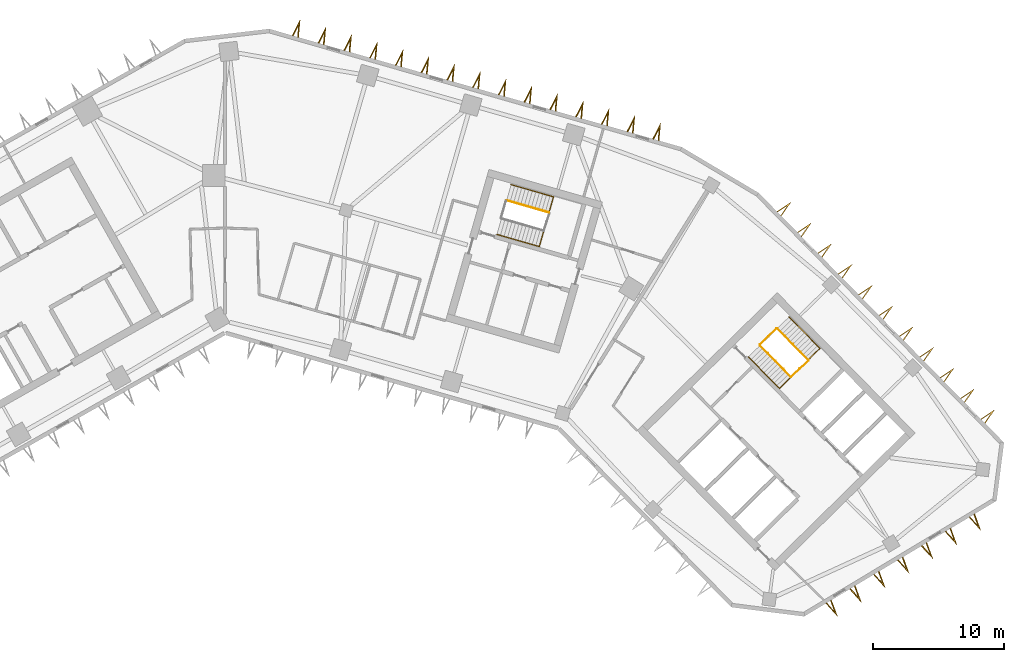
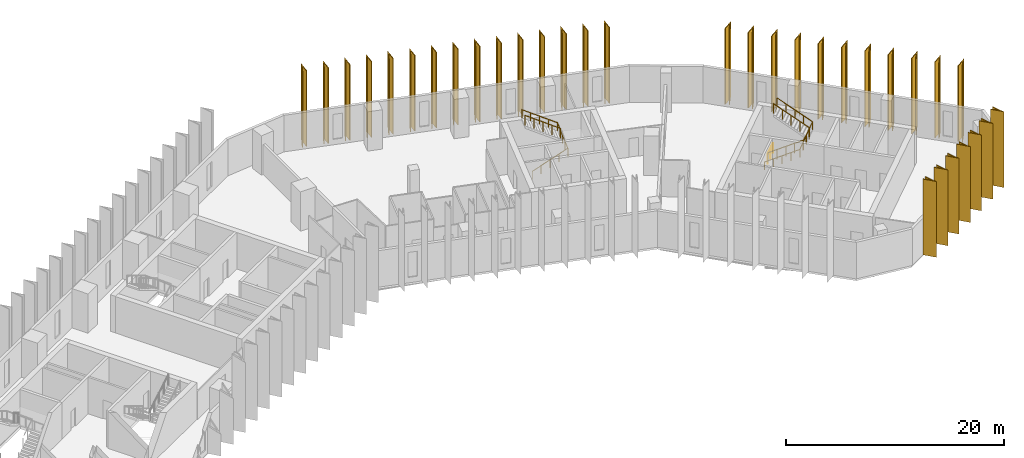
# One storey, part 11 of 11: 33 shading devices, 6 railings.
"""IFC4 building model written with IfcOpenShell, lengths in metres."""

import ifcopenshell
import ifcopenshell.guid

model = None  # the IFC model being written
_history = None  # IfcOwnerHistory: only IFC2X3 demands one
_inside = {}  # id of a spatial element -> (the spatial element, [elements in it])
_under = {}  # id of a project, library or spatial element -> (it, [spatial elements below it])
_declared = {}  # id of a project -> (the project, [libraries it declares])
_typed = {}  # id of a type object -> (the type object, [elements of that type])
_made_of = {}  # id of a material, layer set ... -> (it, [elements and type objects made of it])


def new_model(schema):
    """Start an empty IFC model of exactly this schema.

    Asked for "IFC4X3", IfcOpenShell would pick the latest addendum, in which some entities
    have other attributes; the version numbers below select the first issue.
    IFC2X3 requires an IfcOwnerHistory on every rooted entity: one is made here for all.
    """
    global model, _history
    if schema == "IFC4X3":
        model = ifcopenshell.file(schema_version=(4, 3, 0, 0))
    else:
        model = ifcopenshell.file(schema=schema)
    _inside.clear()
    _under.clear()
    _declared.clear()
    _typed.clear()
    _made_of.clear()
    _history = None
    if model.schema == "IFC2X3":
        org = make("IfcOrganization", Name="unknown")
        user = make(
            "IfcPersonAndOrganization",
            ThePerson=make("IfcPerson", FamilyName="unknown"),
            TheOrganization=org,
        )
        app = make(
            "IfcApplication",
            ApplicationDeveloper=org,
            Version="unknown",
            ApplicationFullName="unknown",
            ApplicationIdentifier="unknown",
        )
        _history = make(
            "IfcOwnerHistory",
            OwningUser=user,
            OwningApplication=app,
            ChangeAction="ADDED",
            CreationDate=0,
        )
    return model


def make(cls, **values):
    """One entity of the class cls with the attributes given. An attribute that is None is left unset."""
    return model.create_entity(
        cls, **{name: value for name, value in values.items() if value is not None}
    )


def rooted(cls, **values):
    """An entity with a GlobalId (a new one), such as an element, a storey or a relation."""
    return make(cls, GlobalId=ifcopenshell.guid.new(), OwnerHistory=_history, **values)


def si_unit(unit_type, name, prefix=None):
    """IfcSIUnit, for example si_unit("LENGTHUNIT", "METRE", prefix="MILLI")."""
    return make("IfcSIUnit", UnitType=unit_type, Prefix=prefix, Name=name)


def assignment(units):
    """IfcUnitAssignment: the units of a project."""
    return None if units is None else make("IfcUnitAssignment", Units=units)


def point(xyz):
    """IfcCartesianPoint."""
    return None if xyz is None else make("IfcCartesianPoint", Coordinates=xyz)


def direction(xyz):
    """IfcDirection."""
    return None if xyz is None else make("IfcDirection", DirectionRatios=xyz)


def frame(location, z_axis=None, x_axis=None):
    """IfcAxis2Placement3D, a coordinate frame: its origin and axes. An axis left out is left unset."""
    return make(
        "IfcAxis2Placement3D",
        Location=point(location),
        Axis=direction(z_axis),
        RefDirection=direction(x_axis),
    )


def frame_2d(location, x_axis=None):
    """IfcAxis2Placement2D, a coordinate frame in the plane: its origin and x axis."""
    return make(
        "IfcAxis2Placement2D", Location=point(location), RefDirection=direction(x_axis)
    )


def origin():
    """The frame at (0, 0, 0) with its axes left unset."""
    return frame((0.0, 0.0, 0.0))


def origin_2d():
    """The frame at (0, 0) in the plane with its x axis left unset."""
    return frame_2d((0.0, 0.0))


def place(relative_to, where):
    """IfcLocalPlacement: puts the frame where relative to a parent placement (None: the world)."""
    return make(
        "IfcLocalPlacement", PlacementRelTo=relative_to, RelativePlacement=where
    )


def context(
    kind, dimensions, precision=None, world=None, true_north=None, identifier=None
):
    """IfcGeometricRepresentationContext, for example the 3D "Model" context."""
    return make(
        "IfcGeometricRepresentationContext",
        ContextIdentifier=identifier,
        ContextType=kind,
        CoordinateSpaceDimension=dimensions,
        Precision=precision,
        WorldCoordinateSystem=world,
        TrueNorth=true_north,
    )


def subcontext(parent, identifier, kind, view, scale=None):
    """IfcGeometricRepresentationSubContext, for example "Body" below "Model"."""
    return make(
        "IfcGeometricRepresentationSubContext",
        ContextIdentifier=identifier,
        ContextType=kind,
        ParentContext=parent,
        TargetScale=scale,
        TargetView=view,
    )


def project(units=None, contexts=None):
    """IfcProject with its units and contexts."""
    return rooted(
        "IfcProject",
        Name="project",
        RepresentationContexts=contexts,
        UnitsInContext=assignment(units),
    )


def spatial(cls, under=None, at=None, **own):
    """A site, building, storey or space (cls), placed at a placement, below another one or the project."""
    s = rooted(cls, ObjectPlacement=at, **own)
    if under is not None:
        _under.setdefault(under.id(), (under, []))[1].append(s)
    return s


def polyline(points):
    """IfcPolyline through the points."""
    return make("IfcPolyline", Points=[point(p) for p in points])


def profile(cls, at=None, kind="AREA", **sizes):
    """A parametric profile (cls). Its sizes go by their IFC names, for example OverallWidth=200.0."""
    return make(cls, ProfileType=kind, Position=at, **sizes)


def circle(**sizes):
    """IfcCircleProfileDef."""
    return profile("IfcCircleProfileDef", **sizes)


def outline(outer, holes=None, kind="AREA"):
    """IfcArbitraryClosedProfileDef: a profile drawn as a closed curve; with holes, ...WithVoids."""
    if holes is None:
        return make("IfcArbitraryClosedProfileDef", ProfileType=kind, OuterCurve=outer)
    return make(
        "IfcArbitraryProfileDefWithVoids",
        ProfileType=kind,
        OuterCurve=outer,
        InnerCurves=holes,
    )


def extrude(swept, where, along, depth):
    """IfcExtrudedAreaSolid: the profile swept, set in the frame where, extruded along a direction by depth."""
    return make(
        "IfcExtrudedAreaSolid",
        SweptArea=swept,
        Position=where,
        ExtrudedDirection=direction(along),
        Depth=depth,
    )


def shape(context_of_items, identifier, shape_type, items):
    """IfcShapeRepresentation: the items that make up one representation, for example the "Body"."""
    return make(
        "IfcShapeRepresentation",
        ContextOfItems=context_of_items,
        RepresentationIdentifier=identifier,
        RepresentationType=shape_type,
        Items=items,
    )


def material(Name=None, Category=None):
    """IfcMaterial."""
    return make("IfcMaterial", Name=Name, Category=Category)


def made_of(thing, what):
    """Note that an element or type object is made of a material, layer set ...; save() writes the relation."""
    if what is not None:
        _made_of.setdefault(what.id(), (what, []))[1].append(thing)
    return thing


def type_object(cls, material=None, **own):
    """A type object (cls), such as IfcWallType, which elements share."""
    return made_of(rooted(cls, **own), material)


def element(
    cls,
    number,
    at=None,
    inside=None,
    cuts=None,
    type_object=None,
    material=None,
    context=None,
    identifier="Body",
    shape_type=None,
    held_by="IfcProductDefinitionShape",
    body=None,
    shapes=None,
    **own,
):
    """One element of the class cls, such as IfcWall. Its Tag is "e" and its number.

    at: its placement. inside: the storey or other place that contains it. cuts: it is an
    opening in that element (IfcRelVoidsElement). A single representation is given by context,
    identifier, shape_type and body (its items); several are given by shapes. held_by: the class
    of the entity that holds the representations. save() writes the other relations.
    """
    e = rooted(cls, Tag="e%d" % number, ObjectPlacement=at, **own)
    if body is not None:
        shapes = [shape(context, identifier, shape_type, body)]
    if shapes is not None:
        e.Representation = make(held_by, Representations=shapes)
    if inside is not None:
        _inside.setdefault(inside.id(), (inside, []))[1].append(e)
    if cuts is not None:
        rooted(
            "IfcRelVoidsElement", RelatingBuildingElement=cuts, RelatedOpeningElement=e
        )
    if type_object is not None:
        _typed.setdefault(type_object.id(), (type_object, []))[1].append(e)
    return made_of(e, material)


def aggregate(whole, parts):
    """IfcRelAggregates: a whole, such as a stair, and the parts it consists of."""
    return rooted("IfcRelAggregates", RelatingObject=whole, RelatedObjects=parts)


def save(model, path):
    """Write the relations noted so far, then the file.

    IfcRelAggregates (storeys below a building ...), IfcRelContainedInSpatialStructure (elements
    in a storey), IfcRelDefinesByType, IfcRelAssociatesMaterial and IfcRelDeclares: one each for
    every whole, place, type object, material and project.
    """
    for whole, parts in _under.values():
        aggregate(whole, parts)
    for where, things in _inside.values():
        rooted(
            "IfcRelContainedInSpatialStructure",
            RelatedElements=things,
            RelatingStructure=where,
        )
    for kind, things in _typed.values():
        rooted("IfcRelDefinesByType", RelatedObjects=things, RelatingType=kind)
    for what, things in _made_of.values():
        rooted("IfcRelAssociatesMaterial", RelatedObjects=things, RelatingMaterial=what)
    for by, libraries in _declared.values():
        rooted("IfcRelDeclares", RelatingContext=by, RelatedDefinitions=libraries)
    model.write(path)


model = new_model("IFC4")

# Units and contexts
model_context = context("Model", 3, precision=1e-05, world=origin(), true_north=direction((0.0, 1.0)))
body_context = subcontext(model_context, "Body", "Model", "MODEL_VIEW")
ifc_project = project(units=[si_unit("LENGTHUNIT", "METRE"), si_unit("AREAUNIT", "SQUARE_METRE"), si_unit("VOLUMEUNIT", "CUBIC_METRE"), si_unit("PLANEANGLEUNIT", "RADIAN"), si_unit("MASSUNIT", "GRAM", prefix="KILO")], contexts=[model_context])

# Site, building, storey
site_placement = place(None, origin())
site = spatial("IfcSite", under=ifc_project, at=site_placement, CompositionType="ELEMENT")
building_placement = place(site_placement, origin())
building = spatial("IfcBuilding", under=site, at=building_placement, Name="Binnacle Exchange Tower", CompositionType="ELEMENT")
storey_placement = place(building_placement, frame((0.0, 0.0, 123.5)))
storey = spatial("IfcBuildingStorey", under=building, at=storey_placement, Name="L25", CompositionType="ELEMENT", Elevation=123.5)

# Railings
ifc_material_1 = material(Name="Steel guard rail", Category="steel")
railing_type_1 = type_object("IfcRailingType", Name="STAIR GUARD 1100", PredefinedType="GUARDRAIL", material=ifc_material_1)
railing_1_placement = place(storey_placement, frame((40.822509765625, 47.046875, 0.169189453125)))
element("IfcRailing", 1, at=railing_1_placement, inside=storey, type_object=railing_type_1, Name="L25 STB1 stair guard 1", PredefinedType="GUARDRAIL", context=body_context, shape_type="SweptSolid", body=[
    extrude(circle(Radius=0.02392578125, at=origin_2d()), frame((0.0, 0.0, 1.076171875), z_axis=(0.599850224077, -0.610421915772, 0.51726665601), x_axis=(0.713256128111, 0.700903485305, 0.0)), (0.0, 0.0, 1.0), 3.926025390625),
    extrude(circle(Radius=0.02392578125, at=origin_2d()), frame((2.35498046875, -2.396484375, 3.10693359375), z_axis=(0.732527851538, 0.680737061369, 0.0), x_axis=(-0.680737061369, 0.732527851538, 0.0)), (0.0, 0.0, 1.0), 1.80078125),
    extrude(circle(Radius=0.02099609375, at=origin_2d()), origin(), (0.0, 0.0, 1.0), 1.052001953125),
    extrude(circle(Radius=0.02099609375, at=origin_2d()), frame((0.5888671875, -0.59912109375, 0.5078125)), (0.0, 0.0, 1.0), 1.052001953125),
    extrude(circle(Radius=0.02099609375, at=origin_2d()), frame((1.177490234375, -1.1982421875, 1.015380859375)), (0.0, 0.0, 1.0), 1.052001953125),
    extrude(circle(Radius=0.02099609375, at=origin_2d()), frame((1.76611328125, -1.79736328125, 1.52294921875)), (0.0, 0.0, 1.0), 1.052001953125),
    extrude(circle(Radius=0.02099609375, at=origin_2d()), frame((2.35498046875, -2.396484375, 2.03076171875)), (0.0, 0.0, 1.0), 1.052001953125),
    extrude(circle(Radius=0.02099609375, at=origin_2d()), frame((3.0146484375, -1.78369140625, 2.03076171875)), (0.0, 0.0, 1.0), 1.052001953125),
    extrude(circle(Radius=0.02099609375, at=origin_2d()), frame((3.674072265625, -1.170654296875, 2.03076171875)), (0.0, 0.0, 1.0), 1.052001953125),
])
railing_2_placement = place(storey_placement, frame((44.4970703125, 45.947021484375, 2.369140625)))
element("IfcRailing", 2, at=railing_2_placement, inside=storey, type_object=railing_type_1, Name="L25 STB1 stair guard 2", PredefinedType="GUARDRAIL", context=body_context, shape_type="SweptSolid", body=[
    extrude(circle(Radius=0.02392578125, at=origin_2d()), frame((0.0, 0.0, 1.076171875), z_axis=(-0.599850224077, 0.610421915772, 0.51726665601), x_axis=(-0.713256128111, -0.700903485305, 0.0)), (0.0, 0.0, 1.0), 3.926025390625),
    extrude(circle(Radius=0.02099609375, at=origin_2d()), origin(), (0.0, 0.0, 1.0), 1.052001953125),
    extrude(circle(Radius=0.02099609375, at=origin_2d()), frame((-0.5888671875, 0.59912109375, 0.5078125)), (0.0, 0.0, 1.0), 1.052001953125),
    extrude(circle(Radius=0.02099609375, at=origin_2d()), frame((-1.177490234375, 1.1982421875, 1.015380859375)), (0.0, 0.0, 1.0), 1.052001953125),
    extrude(circle(Radius=0.02099609375, at=origin_2d()), frame((-1.76611328125, 1.79736328125, 1.52294921875)), (0.0, 0.0, 1.0), 1.052001953125),
    extrude(circle(Radius=0.02099609375, at=origin_2d()), frame((-2.35498046875, 2.396484375, 2.03076171875)), (0.0, 0.0, 1.0), 1.052001953125),
])
railing_3_placement = place(storey_placement, frame((40.8232421875, 47.117431640625, 0.0)))
element("IfcRailing", 3, at=railing_3_placement, inside=storey, type_object=railing_type_1, Name="L25 STB1 stair guard 3", PredefinedType="GUARDRAIL", context=body_context, shape_type="SweptSolid", body=[
    extrude(circle(Radius=0.02392578125, at=origin_2d()), frame((0.0, 0.0, 1.076171875), z_axis=(0.713218950569, 0.700941316052, 0.0), x_axis=(-0.700941316052, 0.713218950569, 0.0)), (0.0, 0.0, 1.0), 1.75),
    extrude(circle(Radius=0.02099609375, at=origin_2d()), origin(), (0.0, 0.0, 1.0), 1.052001953125),
    extrude(circle(Radius=0.02099609375, at=origin_2d()), frame((0.6240234375, 0.61328125, 0.0)), (0.0, 0.0, 1.0), 1.052001953125),
    extrude(circle(Radius=0.02099609375, at=origin_2d()), frame((1.248046875, 1.2265625, 0.0)), (0.0, 0.0, 1.0), 1.052001953125),
])
railing_4_placement = place(storey_placement, frame((24.716064453125, 57.177978515625, 2.369140625)))
element("IfcRailing", 4, at=railing_4_placement, inside=storey, type_object=railing_type_1, Name="L25 STD1 stair guard 2", PredefinedType="GUARDRAIL", context=body_context, shape_type="SweptSolid", body=[
    extrude(circle(Radius=0.02392578125, at=origin_2d()), frame((0.0, 0.0, 1.076171875), z_axis=(-0.82266146106, 0.235934506256, 0.517264950721), x_axis=(-0.27568068152, -0.961249271436, 0.0)), (0.0, 0.0, 1.0), 3.926025390625),
    extrude(circle(Radius=0.02099609375, at=origin_2d()), origin(), (0.0, 0.0, 1.0), 1.052001953125),
    extrude(circle(Radius=0.02099609375, at=origin_2d()), frame((-0.807373046875, 0.2314453125, 0.5078125)), (0.0, 0.0, 1.0), 1.052001953125),
    extrude(circle(Radius=0.02099609375, at=origin_2d()), frame((-1.61474609375, 0.463134765625, 1.015380859375)), (0.0, 0.0, 1.0), 1.052001953125),
    extrude(circle(Radius=0.02099609375, at=origin_2d()), frame((-2.42236328125, 0.69482421875, 1.52294921875)), (0.0, 0.0, 1.0), 1.052001953125),
    extrude(circle(Radius=0.02099609375, at=origin_2d()), frame((-3.229736328125, 0.92626953125, 2.03076171875)), (0.0, 0.0, 1.0), 1.052001953125),
])
ifc_material_2 = material(Name="Steel handrail", Category="steel")
railing_type_2 = type_object("IfcRailingType", Name="STAIR HANDRAIL 900", PredefinedType="HANDRAIL", material=ifc_material_2)
railing_5_placement = place(storey_placement, frame((39.930908203125, 46.170654296875, 0.169189453125)))
element("IfcRailing", 5, at=railing_5_placement, inside=storey, type_object=railing_type_2, Name="L25 STB1 stair handrail 1", PredefinedType="HANDRAIL", context=body_context, shape_type="SweptSolid", body=[
    extrude(circle(Radius=0.02392578125, at=origin_2d()), frame((0.0, 0.0, 0.8759765625), z_axis=(0.599890032335, -0.610399145579, 0.51724736073), x_axis=(0.713219803244, 0.700940448441, 0.0)), (0.0, 0.0, 1.0), 3.926025390625),
    extrude(circle(Radius=0.02392578125, at=origin_2d()), frame((2.355224609375, -2.396484375, 2.90673828125), z_axis=(0.712714810107, 0.700376341566, 0.038866175905), x_axis=(-0.700905928746, 0.713253726978, 0.0)), (0.0, 0.0, 1.0), 4.35302734375),
    extrude(circle(Radius=0.02392578125, at=origin_2d()), frame((5.457763671875, 0.65234375, 3.07568359375), z_axis=(-0.599827453926, 0.610460928384, 0.517247020709), x_axis=(-0.713291821981, -0.70086716052, 0.0)), (0.0, 0.0, 1.0), 3.926025390625),
    extrude(circle(Radius=0.02099609375, at=origin_2d()), origin(), (0.0, 0.0, 1.0), 0.851806640625),
    extrude(circle(Radius=0.02099609375, at=origin_2d()), frame((0.5888671875, -0.59912109375, 0.5078125)), (0.0, 0.0, 1.0), 0.851806640625),
    extrude(circle(Radius=0.02099609375, at=origin_2d()), frame((1.177734375, -1.1982421875, 1.015380859375)), (0.0, 0.0, 1.0), 0.851806640625),
    extrude(circle(Radius=0.02099609375, at=origin_2d()), frame((1.766357421875, -1.79736328125, 1.52294921875)), (0.0, 0.0, 1.0), 0.851806640625),
    extrude(circle(Radius=0.02099609375, at=origin_2d()), frame((2.355224609375, -2.396484375, 2.03076171875)), (0.0, 0.0, 1.0), 0.851806640625),
    extrude(circle(Radius=0.02099609375, at=origin_2d()), frame((3.130859375, -1.63427734375, 2.072998046875)), (0.0, 0.0, 1.0), 0.851806640625),
    extrude(circle(Radius=0.02099609375, at=origin_2d()), frame((3.906494140625, -0.8720703125, 2.115234375)), (0.0, 0.0, 1.0), 0.851806640625),
    extrude(circle(Radius=0.02099609375, at=origin_2d()), frame((4.68212890625, -0.10986328125, 2.15771484375)), (0.0, 0.0, 1.0), 0.851806640625),
    extrude(circle(Radius=0.02099609375, at=origin_2d()), frame((5.457763671875, 0.65234375, 2.199951171875)), (0.0, 0.0, 1.0), 0.851806640625),
    extrude(circle(Radius=0.02099609375, at=origin_2d()), frame((4.869140625, 1.25146484375, 2.70751953125)), (0.0, 0.0, 1.0), 0.851806640625),
    extrude(circle(Radius=0.02099609375, at=origin_2d()), frame((4.2802734375, 1.8505859375, 3.21533203125)), (0.0, 0.0, 1.0), 0.851806640625),
    extrude(circle(Radius=0.02099609375, at=origin_2d()), frame((3.69140625, 2.449951171875, 3.72314453125)), (0.0, 0.0, 1.0), 0.851806640625),
    extrude(circle(Radius=0.02099609375, at=origin_2d()), frame((3.102783203125, 3.049072265625, 4.230712890625)), (0.0, 0.0, 1.0), 0.851806640625),
])
railing_6_placement = place(storey_placement, frame((20.7421875, 55.5087890625, 0.169189453125)))
element("IfcRailing", 6, at=railing_6_placement, inside=storey, type_object=railing_type_2, Name="L25 STD1 stair handrail 1", PredefinedType="HANDRAIL", context=body_context, shape_type="SweptSolid", body=[
    extrude(circle(Radius=0.02392578125, at=origin_2d()), frame((0.0, 0.0, 0.8759765625), z_axis=(0.82266146106, -0.235934506256, 0.517264950721), x_axis=(0.27568068152, 0.961249271436, 0.0)), (0.0, 0.0, 1.0), 3.926025390625),
    extrude(circle(Radius=0.02392578125, at=origin_2d()), frame((3.229736328125, -0.92626953125, 2.90673828125), z_axis=(0.275399082883, 0.960377115711, 0.042791830591), x_axis=(-0.961257617982, 0.275651576943, 0.0)), (0.0, 0.0, 1.0), 3.953857421875),
    extrude(circle(Radius=0.02392578125, at=origin_2d()), frame((4.318603515625, 2.870849609375, 3.07568359375), z_axis=(-0.822693627572, 0.235863713483, 0.517246076655), x_axis=(-0.275594289407, -0.961274043989, 0.0)), (0.0, 0.0, 1.0), 3.926025390625),
    extrude(circle(Radius=0.02099609375, at=origin_2d()), origin(), (0.0, 0.0, 1.0), 0.851806640625),
    extrude(circle(Radius=0.02099609375, at=origin_2d()), frame((0.807373046875, -0.2314453125, 0.5078125)), (0.0, 0.0, 1.0), 0.851806640625),
    extrude(circle(Radius=0.02099609375, at=origin_2d()), frame((1.61474609375, -0.463134765625, 1.015380859375)), (0.0, 0.0, 1.0), 0.851806640625),
    extrude(circle(Radius=0.02099609375, at=origin_2d()), frame((2.42236328125, -0.69482421875, 1.52294921875)), (0.0, 0.0, 1.0), 0.851806640625),
    extrude(circle(Radius=0.02099609375, at=origin_2d()), frame((3.229736328125, -0.92626953125, 2.03076171875)), (0.0, 0.0, 1.0), 0.851806640625),
    extrude(circle(Radius=0.02099609375, at=origin_2d()), frame((3.501953125, 0.02294921875, 2.072998046875)), (0.0, 0.0, 1.0), 0.851806640625),
    extrude(circle(Radius=0.02099609375, at=origin_2d()), frame((3.774169921875, 0.97216796875, 2.115234375)), (0.0, 0.0, 1.0), 0.851806640625),
    extrude(circle(Radius=0.02099609375, at=origin_2d()), frame((4.04638671875, 1.921630859375, 2.15771484375)), (0.0, 0.0, 1.0), 0.851806640625),
    extrude(circle(Radius=0.02099609375, at=origin_2d()), frame((4.318603515625, 2.870849609375, 2.199951171875)), (0.0, 0.0, 1.0), 0.851806640625),
    extrude(circle(Radius=0.02099609375, at=origin_2d()), frame((3.51123046875, 3.102294921875, 2.70751953125)), (0.0, 0.0, 1.0), 0.851806640625),
    extrude(circle(Radius=0.02099609375, at=origin_2d()), frame((2.70361328125, 3.333984375, 3.21533203125)), (0.0, 0.0, 1.0), 0.851806640625),
    extrude(circle(Radius=0.02099609375, at=origin_2d()), frame((1.89599609375, 3.5654296875, 3.72314453125)), (0.0, 0.0, 1.0), 0.851806640625),
    extrude(circle(Radius=0.02099609375, at=origin_2d()), frame((1.088623046875, 3.796875, 4.230712890625)), (0.0, 0.0, 1.0), 0.851806640625),
])

# Shading devices
ifc_material_3 = material(Name="Bronze aluminium cladding", Category="aluminium")
shading_device_type = type_object("IfcShadingDeviceType", Name="V FIN 1300 DEEP x 8480 HIGH", PredefinedType="USERDEFINED", material=ifc_material_3)
shading_device_1_placement = place(storey_placement, origin())
element("IfcShadingDevice", 7, at=shading_device_1_placement, inside=storey, type_object=shading_device_type, Name="V fin FN-F01-01 L25", ObjectType="FIN", PredefinedType="USERDEFINED", context=body_context, shape_type="SweptSolid", body=[
    extrude(outline(polyline([(33.107421875, 62.66259765625), (33.225341796875, 63.981201171875), (32.626708984375, 62.800537109375), (32.705078125, 62.778076171875), (33.108642578125, 63.573974609375), (33.029052734375, 62.68505859375), (33.107421875, 62.66259765625)])), origin(), (0.0, 0.0, 1.0), 8.47998046875),
])
shading_device_2_placement = place(storey_placement, origin())
element("IfcShadingDevice", 8, at=shading_device_2_placement, inside=storey, type_object=shading_device_type, Name="V fin FN-F01-02 L25", ObjectType="FIN", PredefinedType="USERDEFINED", context=body_context, shape_type="SweptSolid", body=[
    extrude(outline(polyline([(31.143310546875, 63.225830078125), (31.26123046875, 64.54443359375), (30.66259765625, 63.36376953125), (30.740966796875, 63.34130859375), (31.14453125, 64.13720703125), (31.06494140625, 63.248291015625), (31.143310546875, 63.225830078125)])), origin(), (0.0, 0.0, 1.0), 8.47998046875),
])
shading_device_3_placement = place(storey_placement, origin())
element("IfcShadingDevice", 9, at=shading_device_3_placement, inside=storey, type_object=shading_device_type, Name="V fin FN-F01-03 L25", ObjectType="FIN", PredefinedType="USERDEFINED", context=body_context, shape_type="SweptSolid", body=[
    extrude(outline(polyline([(29.17919921875, 63.7890625), (29.297119140625, 65.107666015625), (28.698486328125, 63.927001953125), (28.77685546875, 63.904541015625), (29.180419921875, 64.700439453125), (29.100830078125, 63.8115234375), (29.17919921875, 63.7890625)])), origin(), (0.0, 0.0, 1.0), 8.47998046875),
])
shading_device_4_placement = place(storey_placement, origin())
element("IfcShadingDevice", 10, at=shading_device_4_placement, inside=storey, type_object=shading_device_type, Name="V fin FN-F01-04 L25", ObjectType="FIN", PredefinedType="USERDEFINED", context=body_context, shape_type="SweptSolid", body=[
    extrude(outline(polyline([(27.215087890625, 64.352294921875), (27.3330078125, 65.6708984375), (26.734619140625, 64.489990234375), (26.812744140625, 64.4677734375), (27.21630859375, 65.263671875), (27.13671875, 64.374755859375), (27.215087890625, 64.352294921875)])), origin(), (0.0, 0.0, 1.0), 8.47998046875),
])
shading_device_5_placement = place(storey_placement, origin())
element("IfcShadingDevice", 11, at=shading_device_5_placement, inside=storey, type_object=shading_device_type, Name="V fin FN-F01-05 L25", ObjectType="FIN", PredefinedType="USERDEFINED", context=body_context, shape_type="SweptSolid", body=[
    extrude(outline(polyline([(25.2509765625, 64.91552734375), (25.368896484375, 66.23388671875), (24.7705078125, 65.05322265625), (24.8486328125, 65.031005859375), (25.252197265625, 65.826904296875), (25.172607421875, 64.93798828125), (25.2509765625, 64.91552734375)])), origin(), (0.0, 0.0, 1.0), 8.47998046875),
])
shading_device_6_placement = place(storey_placement, origin())
element("IfcShadingDevice", 12, at=shading_device_6_placement, inside=storey, type_object=shading_device_type, Name="V fin FN-F01-06 L25", ObjectType="FIN", PredefinedType="USERDEFINED", context=body_context, shape_type="SweptSolid", body=[
    extrude(outline(polyline([(23.287109375, 65.478515625), (23.405029296875, 66.797119140625), (22.806396484375, 65.616455078125), (22.884765625, 65.593994140625), (23.288330078125, 66.389892578125), (23.208740234375, 65.5009765625), (23.287109375, 65.478515625)])), origin(), (0.0, 0.0, 1.0), 8.47998046875),
])
shading_device_7_placement = place(storey_placement, origin())
element("IfcShadingDevice", 13, at=shading_device_7_placement, inside=storey, type_object=shading_device_type, Name="V fin FN-F01-07 L25", ObjectType="FIN", PredefinedType="USERDEFINED", context=body_context, shape_type="SweptSolid", body=[
    extrude(outline(polyline([(21.32275390625, 66.041748046875), (21.44091796875, 67.3603515625), (20.84228515625, 66.1796875), (20.92041015625, 66.1572265625), (21.32421875, 66.953125), (21.244384765625, 66.064208984375), (21.32275390625, 66.041748046875)])), origin(), (0.0, 0.0, 1.0), 8.47998046875),
])
shading_device_8_placement = place(storey_placement, origin())
element("IfcShadingDevice", 14, at=shading_device_8_placement, inside=storey, type_object=shading_device_type, Name="V fin FN-F01-08 L25", ObjectType="FIN", PredefinedType="USERDEFINED", context=body_context, shape_type="SweptSolid", body=[
    extrude(outline(polyline([(19.35888671875, 66.60498046875), (19.476806640625, 67.923583984375), (18.878173828125, 66.742919921875), (18.95654296875, 66.720458984375), (19.360107421875, 67.516357421875), (19.280517578125, 66.62744140625), (19.35888671875, 66.60498046875)])), origin(), (0.0, 0.0, 1.0), 8.47998046875),
])
shading_device_9_placement = place(storey_placement, origin())
element("IfcShadingDevice", 15, at=shading_device_9_placement, inside=storey, type_object=shading_device_type, Name="V fin FN-F01-09 L25", ObjectType="FIN", PredefinedType="USERDEFINED", context=body_context, shape_type="SweptSolid", body=[
    extrude(outline(polyline([(17.394775390625, 67.168212890625), (17.5126953125, 68.48681640625), (16.9140625, 67.305908203125), (16.992431640625, 67.28369140625), (17.39599609375, 68.07958984375), (17.31640625, 67.190673828125), (17.394775390625, 67.168212890625)])), origin(), (0.0, 0.0, 1.0), 8.47998046875),
])
shading_device_10_placement = place(storey_placement, origin())
element("IfcShadingDevice", 16, at=shading_device_10_placement, inside=storey, type_object=shading_device_type, Name="V fin FN-F01-10 L25", ObjectType="FIN", PredefinedType="USERDEFINED", context=body_context, shape_type="SweptSolid", body=[
    extrude(outline(polyline([(15.4306640625, 67.7314453125), (15.548583984375, 69.0498046875), (14.949951171875, 67.869140625), (15.0283203125, 67.8466796875), (15.431884765625, 68.642578125), (15.352294921875, 67.75390625), (15.4306640625, 67.7314453125)])), origin(), (0.0, 0.0, 1.0), 8.47998046875),
])
shading_device_11_placement = place(storey_placement, origin())
element("IfcShadingDevice", 17, at=shading_device_11_placement, inside=storey, type_object=shading_device_type, Name="V fin FN-F01-11 L25", ObjectType="FIN", PredefinedType="USERDEFINED", context=body_context, shape_type="SweptSolid", body=[
    extrude(outline(polyline([(13.466552734375, 68.294677734375), (13.58447265625, 69.613037109375), (12.98583984375, 68.432373046875), (13.064208984375, 68.409912109375), (13.4677734375, 69.205810546875), (13.38818359375, 68.31689453125), (13.466552734375, 68.294677734375)])), origin(), (0.0, 0.0, 1.0), 8.47998046875),
])
shading_device_12_placement = place(storey_placement, origin())
element("IfcShadingDevice", 18, at=shading_device_12_placement, inside=storey, type_object=shading_device_type, Name="V fin FN-F01-12 L25", ObjectType="FIN", PredefinedType="USERDEFINED", context=body_context, shape_type="SweptSolid", body=[
    extrude(outline(polyline([(11.50244140625, 68.85791015625), (11.620361328125, 70.17626953125), (11.021728515625, 68.99560546875), (11.10009765625, 68.97314453125), (11.503662109375, 69.76904296875), (11.424072265625, 68.880126953125), (11.50244140625, 68.85791015625)])), origin(), (0.0, 0.0, 1.0), 8.47998046875),
])
shading_device_13_placement = place(storey_placement, origin())
element("IfcShadingDevice", 19, at=shading_device_13_placement, inside=storey, type_object=shading_device_type, Name="V fin FN-F01-13 L25", ObjectType="FIN", PredefinedType="USERDEFINED", context=body_context, shape_type="SweptSolid", body=[
    extrude(outline(polyline([(9.538330078125, 69.4208984375), (9.65625, 70.739501953125), (9.0576171875, 69.558837890625), (9.135986328125, 69.536376953125), (9.53955078125, 70.332275390625), (9.4599609375, 69.443359375), (9.538330078125, 69.4208984375)])), origin(), (0.0, 0.0, 1.0), 8.47998046875),
])
shading_device_14_placement = place(storey_placement, origin())
element("IfcShadingDevice", 20, at=shading_device_14_placement, inside=storey, type_object=shading_device_type, Name="V fin FN-F01-14 L25", ObjectType="FIN", PredefinedType="USERDEFINED", context=body_context, shape_type="SweptSolid", body=[
    extrude(outline(polyline([(7.57421875, 69.984130859375), (7.6923828125, 71.302734375), (7.09375, 70.1220703125), (7.172119140625, 70.099609375), (7.57568359375, 70.8955078125), (7.49609375, 70.006591796875), (7.57421875, 69.984130859375)])), origin(), (0.0, 0.0, 1.0), 8.47998046875),
])
shading_device_15_placement = place(storey_placement, origin())
element("IfcShadingDevice", 21, at=shading_device_15_placement, inside=storey, type_object=shading_device_type, Name="V fin FN-F01-15 L25", ObjectType="FIN", PredefinedType="USERDEFINED", context=body_context, shape_type="SweptSolid", body=[
    extrude(outline(polyline([(5.610107421875, 70.54736328125), (5.72802734375, 71.865966796875), (5.12939453125, 70.685302734375), (5.207763671875, 70.662841796875), (5.611328125, 71.458740234375), (5.53173828125, 70.56982421875), (5.610107421875, 70.54736328125)])), origin(), (0.0, 0.0, 1.0), 8.47998046875),
])
shading_device_16_placement = place(storey_placement, origin())
element("IfcShadingDevice", 22, at=shading_device_16_placement, inside=storey, type_object=shading_device_type, Name="V fin FN-F11-01 L25", ObjectType="FIN", PredefinedType="USERDEFINED", context=body_context, shape_type="SweptSolid", body=[
    extrude(outline(polyline([(45.82861328125, 27.361572265625), (46.71240234375, 26.376220703125), (46.257080078125, 27.619140625), (46.187255859375, 27.5771484375), (46.494140625, 26.7392578125), (45.898193359375, 27.403564453125), (45.82861328125, 27.361572265625)])), origin(), (0.0, 0.0, 1.0), 8.47998046875),
])
shading_device_17_placement = place(storey_placement, origin())
element("IfcShadingDevice", 23, at=shading_device_17_placement, inside=storey, type_object=shading_device_type, Name="V fin FN-F11-02 L25", ObjectType="FIN", PredefinedType="USERDEFINED", context=body_context, shape_type="SweptSolid", body=[
    extrude(outline(polyline([(47.64990234375, 28.4560546875), (48.53369140625, 27.470458984375), (48.07861328125, 28.713623046875), (48.0087890625, 28.671630859375), (48.315673828125, 27.83349609375), (47.7197265625, 28.498046875), (47.64990234375, 28.4560546875)])), origin(), (0.0, 0.0, 1.0), 8.47998046875),
])
shading_device_18_placement = place(storey_placement, origin())
element("IfcShadingDevice", 24, at=shading_device_18_placement, inside=storey, type_object=shading_device_type, Name="V fin FN-F11-03 L25", ObjectType="FIN", PredefinedType="USERDEFINED", context=body_context, shape_type="SweptSolid", body=[
    extrude(outline(polyline([(49.471435546875, 29.550537109375), (50.355224609375, 28.56494140625), (49.900146484375, 29.80810546875), (49.830322265625, 29.76611328125), (50.13720703125, 28.927978515625), (49.541259765625, 29.592529296875), (49.471435546875, 29.550537109375)])), origin(), (0.0, 0.0, 1.0), 8.47998046875),
])
shading_device_19_placement = place(storey_placement, origin())
element("IfcShadingDevice", 25, at=shading_device_19_placement, inside=storey, type_object=shading_device_type, Name="V fin FN-F11-04 L25", ObjectType="FIN", PredefinedType="USERDEFINED", context=body_context, shape_type="SweptSolid", body=[
    extrude(outline(polyline([(51.29296875, 30.64501953125), (52.1767578125, 29.659423828125), (51.7216796875, 30.902587890625), (51.65185546875, 30.860595703125), (51.958740234375, 30.0224609375), (51.36279296875, 30.68701171875), (51.29296875, 30.64501953125)])), origin(), (0.0, 0.0, 1.0), 8.47998046875),
])
shading_device_20_placement = place(storey_placement, origin())
element("IfcShadingDevice", 26, at=shading_device_20_placement, inside=storey, type_object=shading_device_type, Name="V fin FN-F11-05 L25", ObjectType="FIN", PredefinedType="USERDEFINED", context=body_context, shape_type="SweptSolid", body=[
    extrude(outline(polyline([(53.114501953125, 31.739501953125), (53.998291015625, 30.75390625), (53.543212890625, 31.9970703125), (53.473388671875, 31.955078125), (53.7802734375, 31.116943359375), (53.184326171875, 31.781494140625), (53.114501953125, 31.739501953125)])), origin(), (0.0, 0.0, 1.0), 8.47998046875),
])
shading_device_21_placement = place(storey_placement, origin())
element("IfcShadingDevice", 27, at=shading_device_21_placement, inside=storey, type_object=shading_device_type, Name="V fin FN-F11-06 L25", ObjectType="FIN", PredefinedType="USERDEFINED", context=body_context, shape_type="SweptSolid", body=[
    extrude(outline(polyline([(54.935791015625, 32.833984375), (55.819580078125, 31.848388671875), (55.364501953125, 33.091552734375), (55.294677734375, 33.049560546875), (55.6015625, 32.21142578125), (55.005615234375, 32.8759765625), (54.935791015625, 32.833984375)])), origin(), (0.0, 0.0, 1.0), 8.47998046875),
])
shading_device_22_placement = place(storey_placement, origin())
element("IfcShadingDevice", 28, at=shading_device_22_placement, inside=storey, type_object=shading_device_type, Name="V fin FN-F11-07 L25", ObjectType="FIN", PredefinedType="USERDEFINED", context=body_context, shape_type="SweptSolid", body=[
    extrude(outline(polyline([(56.75732421875, 33.92822265625), (57.64111328125, 32.94287109375), (57.18603515625, 34.185791015625), (57.1162109375, 34.143798828125), (57.423095703125, 33.305908203125), (56.8271484375, 33.97021484375), (56.75732421875, 33.92822265625)])), origin(), (0.0, 0.0, 1.0), 8.47998046875),
])
shading_device_23_placement = place(storey_placement, origin())
element("IfcShadingDevice", 29, at=shading_device_23_placement, inside=storey, type_object=shading_device_type, Name="V fin FN-F13-01 L25", ObjectType="FIN", PredefinedType="USERDEFINED", context=body_context, shape_type="SweptSolid", body=[
    extrude(outline(polyline([(57.990478515625, 41.087890625), (58.742431640625, 42.177490234375), (57.64013671875, 41.444580078125), (57.697265625, 41.386474609375), (58.4404296875, 41.880615234375), (57.933349609375, 41.14599609375), (57.990478515625, 41.087890625)])), origin(), (0.0, 0.0, 1.0), 8.47998046875),
])
shading_device_24_placement = place(storey_placement, origin())
element("IfcShadingDevice", 30, at=shading_device_24_placement, inside=storey, type_object=shading_device_type, Name="V fin FN-F13-02 L25", ObjectType="FIN", PredefinedType="USERDEFINED", context=body_context, shape_type="SweptSolid", body=[
    extrude(outline(polyline([(56.435791015625, 42.669921875), (57.18798828125, 43.759521484375), (56.08544921875, 43.026611328125), (56.142578125, 42.968505859375), (56.8857421875, 43.46240234375), (56.37890625, 42.72802734375), (56.435791015625, 42.669921875)])), origin(), (0.0, 0.0, 1.0), 8.47998046875),
])
shading_device_25_placement = place(storey_placement, origin())
element("IfcShadingDevice", 31, at=shading_device_25_placement, inside=storey, type_object=shading_device_type, Name="V fin FN-F13-03 L25", ObjectType="FIN", PredefinedType="USERDEFINED", context=body_context, shape_type="SweptSolid", body=[
    extrude(outline(polyline([(54.881103515625, 44.251953125), (55.63330078125, 45.34130859375), (54.53076171875, 44.6083984375), (54.587890625, 44.55029296875), (55.3310546875, 45.04443359375), (54.82421875, 44.31005859375), (54.881103515625, 44.251953125)])), origin(), (0.0, 0.0, 1.0), 8.47998046875),
])
shading_device_26_placement = place(storey_placement, origin())
element("IfcShadingDevice", 32, at=shading_device_26_placement, inside=storey, type_object=shading_device_type, Name="V fin FN-F13-04 L25", ObjectType="FIN", PredefinedType="USERDEFINED", context=body_context, shape_type="SweptSolid", body=[
    extrude(outline(polyline([(53.32666015625, 45.833984375), (54.07861328125, 46.92333984375), (52.976318359375, 46.1904296875), (53.033203125, 46.13232421875), (53.776611328125, 46.62646484375), (53.26953125, 45.89208984375), (53.32666015625, 45.833984375)])), origin(), (0.0, 0.0, 1.0), 8.47998046875),
])
shading_device_27_placement = place(storey_placement, origin())
element("IfcShadingDevice", 33, at=shading_device_27_placement, inside=storey, type_object=shading_device_type, Name="V fin FN-F13-05 L25", ObjectType="FIN", PredefinedType="USERDEFINED", context=body_context, shape_type="SweptSolid", body=[
    extrude(outline(polyline([(51.77197265625, 47.416015625), (52.52392578125, 48.50537109375), (51.421630859375, 47.7724609375), (51.478759765625, 47.71435546875), (52.221923828125, 48.20849609375), (51.71484375, 47.47412109375), (51.77197265625, 47.416015625)])), origin(), (0.0, 0.0, 1.0), 8.47998046875),
])
shading_device_28_placement = place(storey_placement, origin())
element("IfcShadingDevice", 34, at=shading_device_28_placement, inside=storey, type_object=shading_device_type, Name="V fin FN-F13-06 L25", ObjectType="FIN", PredefinedType="USERDEFINED", context=body_context, shape_type="SweptSolid", body=[
    extrude(outline(polyline([(50.21728515625, 48.997802734375), (50.969482421875, 50.08740234375), (49.866943359375, 49.3544921875), (49.924072265625, 49.29638671875), (50.667236328125, 49.79052734375), (50.160400390625, 49.055908203125), (50.21728515625, 48.997802734375)])), origin(), (0.0, 0.0, 1.0), 8.47998046875),
])
shading_device_29_placement = place(storey_placement, origin())
element("IfcShadingDevice", 35, at=shading_device_29_placement, inside=storey, type_object=shading_device_type, Name="V fin FN-F13-07 L25", ObjectType="FIN", PredefinedType="USERDEFINED", context=body_context, shape_type="SweptSolid", body=[
    extrude(outline(polyline([(48.66259765625, 50.579833984375), (49.414794921875, 51.66943359375), (48.312255859375, 50.9365234375), (48.369384765625, 50.87841796875), (49.112548828125, 51.37255859375), (48.605712890625, 50.637939453125), (48.66259765625, 50.579833984375)])), origin(), (0.0, 0.0, 1.0), 8.47998046875),
])
shading_device_30_placement = place(storey_placement, origin())
element("IfcShadingDevice", 36, at=shading_device_30_placement, inside=storey, type_object=shading_device_type, Name="V fin FN-F13-08 L25", ObjectType="FIN", PredefinedType="USERDEFINED", context=body_context, shape_type="SweptSolid", body=[
    extrude(outline(polyline([(47.108154296875, 52.161865234375), (47.860107421875, 53.25146484375), (46.7578125, 52.5185546875), (46.814697265625, 52.46044921875), (47.55810546875, 52.95458984375), (47.051025390625, 52.219970703125), (47.108154296875, 52.161865234375)])), origin(), (0.0, 0.0, 1.0), 8.47998046875),
])
shading_device_31_placement = place(storey_placement, origin())
element("IfcShadingDevice", 37, at=shading_device_31_placement, inside=storey, type_object=shading_device_type, Name="V fin FN-F13-09 L25", ObjectType="FIN", PredefinedType="USERDEFINED", context=body_context, shape_type="SweptSolid", body=[
    extrude(outline(polyline([(45.553466796875, 53.743896484375), (46.305419921875, 54.83349609375), (45.203125, 54.1005859375), (45.26025390625, 54.04248046875), (46.00341796875, 54.53662109375), (45.496337890625, 53.802001953125), (45.553466796875, 53.743896484375)])), origin(), (0.0, 0.0, 1.0), 8.47998046875),
])
shading_device_32_placement = place(storey_placement, origin())
element("IfcShadingDevice", 38, at=shading_device_32_placement, inside=storey, type_object=shading_device_type, Name="V fin FN-F13-10 L25", ObjectType="FIN", PredefinedType="USERDEFINED", context=body_context, shape_type="SweptSolid", body=[
    extrude(outline(polyline([(43.998779296875, 55.325927734375), (44.7509765625, 56.415283203125), (43.6484375, 55.6826171875), (43.70556640625, 55.62451171875), (44.44873046875, 56.118408203125), (43.94189453125, 55.384033203125), (43.998779296875, 55.325927734375)])), origin(), (0.0, 0.0, 1.0), 8.47998046875),
])
shading_device_33_placement = place(storey_placement, origin())
element("IfcShadingDevice", 39, at=shading_device_33_placement, inside=storey, type_object=shading_device_type, Name="V fin FN-F13-11 L25", ObjectType="FIN", PredefinedType="USERDEFINED", context=body_context, shape_type="SweptSolid", body=[
    extrude(outline(polyline([(42.444091796875, 56.907958984375), (43.1962890625, 57.997314453125), (42.09375, 57.264404296875), (42.15087890625, 57.206298828125), (42.89404296875, 57.700439453125), (42.38720703125, 56.966064453125), (42.444091796875, 56.907958984375)])), origin(), (0.0, 0.0, 1.0), 8.47998046875),
])

save(model, "model.ifc")
